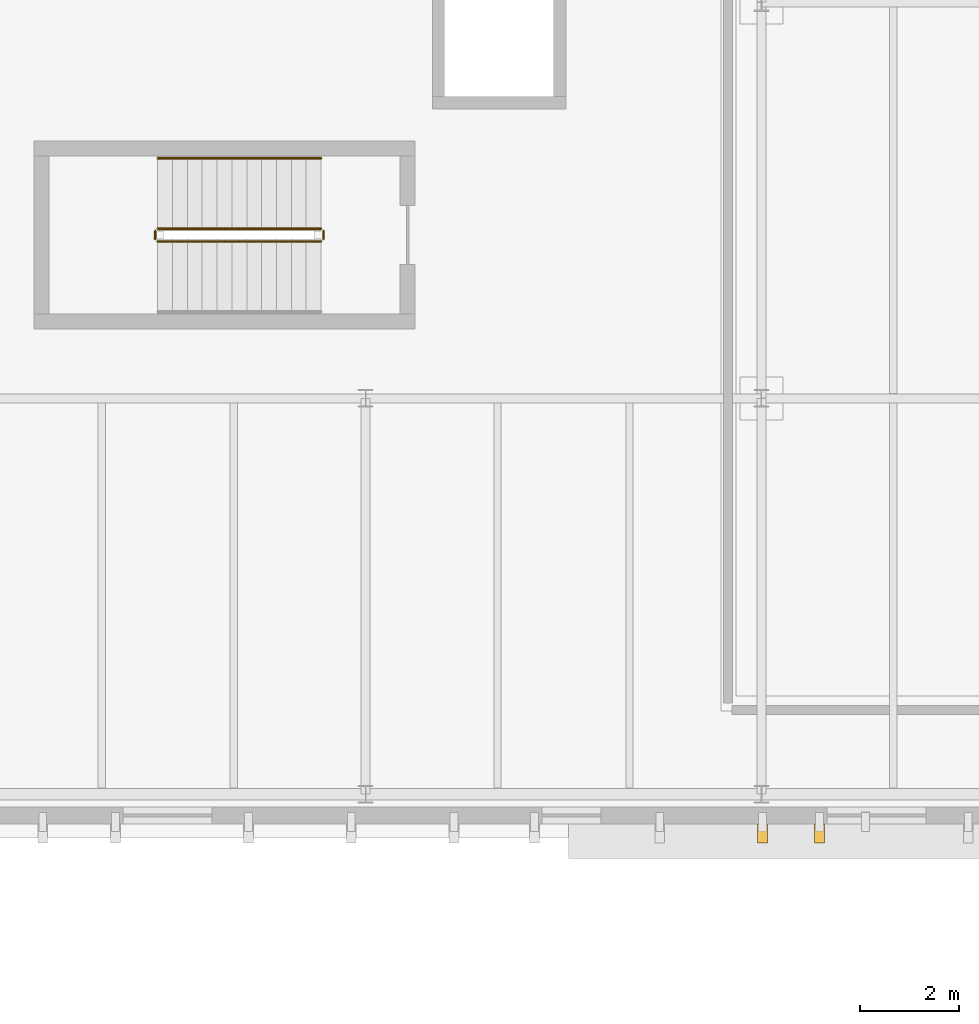
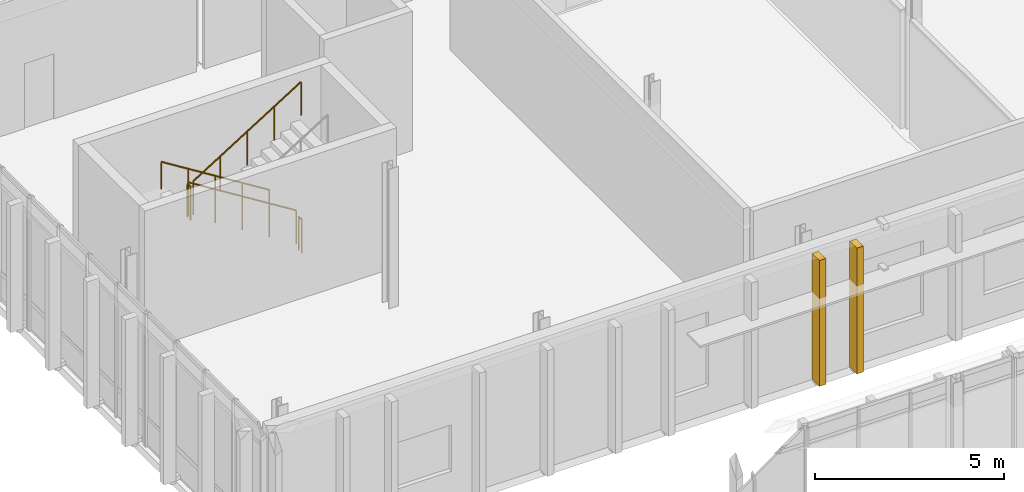
# One storey, part 57 of 62: 5 railings, 2 coverings.
"""IFC4 building model written with IfcOpenShell, lengths in metres."""

from ifc_helpers import new_model, si_unit, direction, frame, origin, origin_2d, place, context, subcontext, project, spatial, rectangle, circle, extrude, material, layer, layer_set, type_object, element, save


model = new_model("IFC4")

# Units and contexts
model_context = context("Model", 3, precision=1e-05, world=origin(), true_north=direction((0.0, 1.0)))
body_context = subcontext(model_context, "Body", "Model", "MODEL_VIEW")
ifc_project = project(units=[si_unit("LENGTHUNIT", "METRE"), si_unit("AREAUNIT", "SQUARE_METRE"), si_unit("VOLUMEUNIT", "CUBIC_METRE"), si_unit("PLANEANGLEUNIT", "RADIAN"), si_unit("MASSUNIT", "GRAM", prefix="KILO")], contexts=[model_context])

# Site, building, storey
site_placement = place(None, origin())
site = spatial("IfcSite", under=ifc_project, at=site_placement, CompositionType="ELEMENT")
building_placement = place(site_placement, origin())
building = spatial("IfcBuilding", under=site, at=building_placement, Name="Cymarion Research Institute", CompositionType="ELEMENT")
storey_placement = place(building_placement, frame((0.0, 0.0, 18.300048828125)))
storey = spatial("IfcBuildingStorey", under=building, at=storey_placement, Name="L04", CompositionType="ELEMENT", Elevation=18.300048828125)

# Railings
ifc_material_1 = material(Name="Steel S355", Category="steel")
railing_type_1 = type_object("IfcRailingType", Name="PAINTED STEEL STAIR GUARDRAIL GR1 1100MM", PredefinedType="GUARDRAIL", material=ifc_material_1)
railing_1_placement = place(storey_placement, frame((13.699951171875, 96.929931640625, 0.1875)))
element("IfcRailing", 1, at=railing_1_placement, inside=storey, type_object=railing_type_1, Name="L04 ST9 stair guard 1", PredefinedType="GUARDRAIL", context=body_context, shape_type="SweptSolid", body=[
    extrude(circle(Radius=0.02392578125, at=origin_2d()), frame((0.0, 0.0, 1.076171875), z_axis=(-0.848001828478, 0.0, 0.529993300805), x_axis=(0.0, -1.0, 0.0)), (0.0, 0.0, 1.0), 3.8916015625),
    extrude(circle(Radius=0.02099609375, at=origin_2d()), origin(), (0.0, 0.0, 1.0), 1.052001953125),
    extrude(circle(Radius=0.02099609375, at=origin_2d()), frame((-0.824951171875, 0.0, 0.515625)), (0.0, 0.0, 1.0), 1.052001953125),
    extrude(circle(Radius=0.02099609375, at=origin_2d()), frame((-1.64990234375, 0.0, 1.03125)), (0.0, 0.0, 1.0), 1.052001953125),
    extrude(circle(Radius=0.02099609375, at=origin_2d()), frame((-2.47509765625, 0.0, 1.546875)), (0.0, 0.0, 1.0), 1.052001953125),
    extrude(circle(Radius=0.02099609375, at=origin_2d()), frame((-3.300048828125, 0.0, 2.0625)), (0.0, 0.0, 1.0), 1.052001953125),
])
railing_2_placement = place(storey_placement, frame((10.35009765625, 96.8798828125, 2.25)))
element("IfcRailing", 2, at=railing_2_placement, inside=storey, type_object=railing_type_1, Name="L04 ST9 stair guard 2", PredefinedType="GUARDRAIL", context=body_context, shape_type="SweptSolid", body=[
    extrude(circle(Radius=0.02392578125, at=origin_2d()), frame((0.0, 0.0, 1.076171875), z_axis=(0.0, -1.0, 0.0), x_axis=(1.0, 0.0, 0.0)), (0.0, 0.0, 1.0), 0.159912109375),
    extrude(circle(Radius=0.02099609375, at=origin_2d()), origin(), (0.0, 0.0, 1.0), 1.052001953125),
    extrude(circle(Radius=0.02099609375, at=origin_2d()), frame((0.0, -0.159912109375, 0.0)), (0.0, 0.0, 1.0), 1.052001953125),
])
railing_3_placement = place(storey_placement, frame((10.39990234375, 96.669921875, 2.4375)))
element("IfcRailing", 3, at=railing_3_placement, inside=storey, type_object=railing_type_1, Name="L04 ST9 stair guard 3", PredefinedType="GUARDRAIL", context=body_context, shape_type="SweptSolid", body=[
    extrude(circle(Radius=0.02392578125, at=origin_2d()), frame((0.0, 0.0, 1.076171875), z_axis=(0.848001828478, 0.0, 0.529993300805), x_axis=(0.0, 1.0, 0.0)), (0.0, 0.0, 1.0), 3.8916015625),
    extrude(circle(Radius=0.02099609375, at=origin_2d()), origin(), (0.0, 0.0, 1.0), 1.052001953125),
    extrude(circle(Radius=0.02099609375, at=origin_2d()), frame((0.824951171875, 0.0, 0.515625)), (0.0, 0.0, 1.0), 1.052001953125),
    extrude(circle(Radius=0.02099609375, at=origin_2d()), frame((1.64990234375, 0.0, 1.03125)), (0.0, 0.0, 1.0), 1.052001953125),
    extrude(circle(Radius=0.02099609375, at=origin_2d()), frame((2.47509765625, 0.0, 1.546875)), (0.0, 0.0, 1.0), 1.052001953125),
    extrude(circle(Radius=0.02099609375, at=origin_2d()), frame((3.300048828125, 0.0, 2.0625)), (0.0, 0.0, 1.0), 1.052001953125),
])
railing_4_placement = place(storey_placement, frame((13.75, 96.8798828125, 0.0)))
element("IfcRailing", 4, at=railing_4_placement, inside=storey, type_object=railing_type_1, Name="L04 ST9 stair guard 4", PredefinedType="GUARDRAIL", context=body_context, shape_type="SweptSolid", body=[
    extrude(circle(Radius=0.02392578125, at=origin_2d()), frame((0.0, 0.0, 1.076171875), z_axis=(0.0, -1.0, 0.0), x_axis=(1.0, 0.0, 0.0)), (0.0, 0.0, 1.0), 0.159912109375),
    extrude(circle(Radius=0.02099609375, at=origin_2d()), origin(), (0.0, 0.0, 1.0), 1.052001953125),
    extrude(circle(Radius=0.02099609375, at=origin_2d()), frame((0.0, -0.159912109375, 0.0)), (0.0, 0.0, 1.0), 1.052001953125),
])

# Coverings
ifc_material_2 = material(Name="Precast concrete C45/55 architectural white", Category="concrete")
ifc_layer = layer(ifc_material_2, 0.199951171875)
ifc_layer_set = layer_set([ifc_layer], Name="Precast concrete C45/55 architectural white")
covering_type = type_object("IfcCoveringType", Name="SCULPTURAL WHITE PRECAST CONCRETE VERTICAL RIB RIB1 380X200", PredefinedType="CLADDING", material=ifc_layer_set)
for number, where, z_axis, x_axis, name in (
    (5, (22.622314453125, 84.7080078125, 0.010009765625), (0.0, 0.0, 1.0), (0.0, -1.0, 0.0), "L04 V5 sculptural precast vertical rib RIB1 #906"),
    (6, (23.77001953125, 84.7080078125, 0.010009765625), (0.0, 0.0, 1.0), (0.0, -1.0, 0.0), "L04 V5 sculptural precast vertical rib RIB1 #907"),
):
    element("IfcCovering", number, at=place(storey_placement, frame(where, z_axis=z_axis, x_axis=x_axis)), inside=storey, type_object=covering_type, Name=name, PredefinedType="CLADDING", context=body_context, shape_type="SweptSolid", body=[
        extrude(rectangle(XDim=0.3798828125, YDim=0.199951171875, at=origin_2d()), origin(), (0.0, 0.0, 1.0), 4.06494140625),
    ])

# Railing
railing_type_2 = type_object("IfcRailingType", Name="STAINLESS STEEL STAIR HANDRAIL HR1 900MM", PredefinedType="HANDRAIL", material=ifc_material_1)
railing_5_placement = place(storey_placement, frame((13.699951171875, 98.35009765625, 0.1875)))
element("IfcRailing", 7, at=railing_5_placement, inside=storey, type_object=railing_type_2, Name="L04 ST9 stair handrail 1", PredefinedType="HANDRAIL", context=body_context, shape_type="SweptSolid", body=[
    extrude(circle(Radius=0.02392578125, at=origin_2d()), frame((0.0, 0.0, 0.8759765625), z_axis=(-0.848001828478, 0.0, 0.529993300805), x_axis=(0.0, -1.0, 0.0)), (0.0, 0.0, 1.0), 3.8916015625),
    extrude(circle(Radius=0.02099609375, at=origin_2d()), origin(), (0.0, 0.0, 1.0), 0.851806640625),
    extrude(circle(Radius=0.02099609375, at=origin_2d()), frame((-0.824951171875, 0.0, 0.515625)), (0.0, 0.0, 1.0), 0.851806640625),
    extrude(circle(Radius=0.02099609375, at=origin_2d()), frame((-1.64990234375, 0.0, 1.03125)), (0.0, 0.0, 1.0), 0.851806640625),
    extrude(circle(Radius=0.02099609375, at=origin_2d()), frame((-2.47509765625, 0.0, 1.546875)), (0.0, 0.0, 1.0), 0.851806640625),
    extrude(circle(Radius=0.02099609375, at=origin_2d()), frame((-3.300048828125, 0.0, 2.0625)), (0.0, 0.0, 1.0), 0.851806640625),
])

save(model, "model.ifc")
